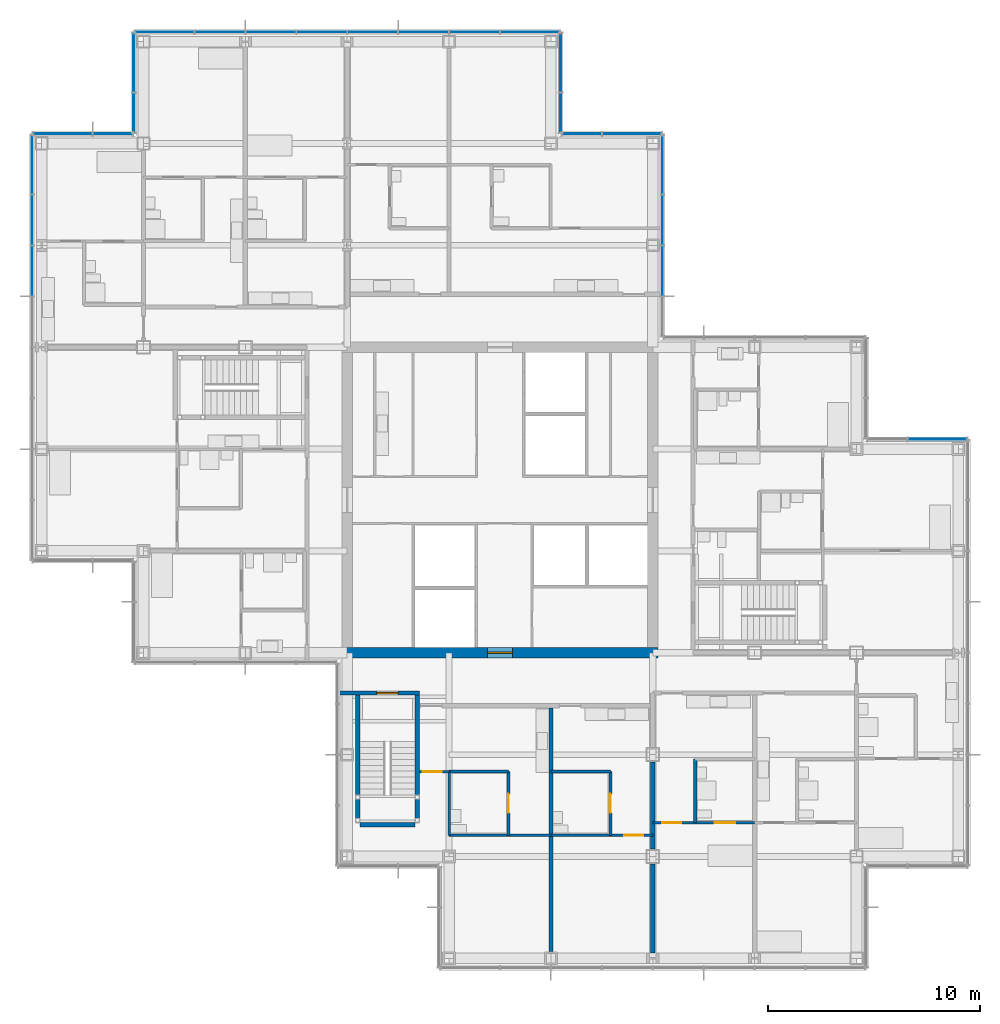
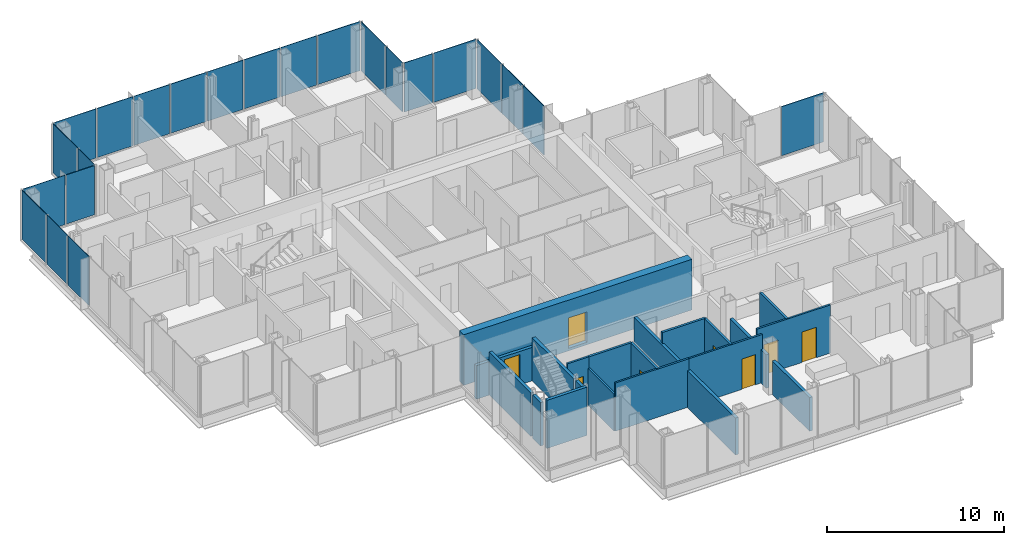
# One storey, part 12 of 19: 23 plates, 20 walls, 8 doors, 8 openings, 8 elements without a shape of their own.
"""IFC4 building model written with IfcOpenShell, lengths in metres."""

from ifc_helpers import new_model, si_unit, direction, frame, frame_2d, origin, origin_2d, place, context, subcontext, project, spatial, rectangle, extrude, material, layer, layer_set, type_object, element, fill, aggregate, save


model = new_model("IFC4")

# Units and contexts
model_context = context("Model", 3, precision=1e-05, world=origin(), true_north=direction((0.0, 1.0)))
body_context = subcontext(model_context, "Body", "Model", "MODEL_VIEW")
ifc_project = project(units=[si_unit("LENGTHUNIT", "METRE"), si_unit("AREAUNIT", "SQUARE_METRE"), si_unit("VOLUMEUNIT", "CUBIC_METRE"), si_unit("PLANEANGLEUNIT", "RADIAN"), si_unit("MASSUNIT", "GRAM", prefix="KILO")], contexts=[model_context])

# Site, building, storey
site_placement = place(None, origin())
site = spatial("IfcSite", under=ifc_project, at=site_placement, CompositionType="ELEMENT")
building_placement = place(site_placement, origin())
building = spatial("IfcBuilding", under=site, at=building_placement, Name="Kvirike Care Tower", CompositionType="ELEMENT")
storey_placement = place(building_placement, frame((0.0, 0.0, 108.5)))
storey = spatial("IfcBuildingStorey", under=building, at=storey_placement, Name="L29", CompositionType="ELEMENT", Elevation=108.5)

# Curtain wall, plate
ifc_material_1 = material(Name="Anodised aluminium stick system", Category="aluminium")
curtain_wall_type = type_object("IfcCurtainWallType", Name="CW-B STICK CURTAIN WALL", PredefinedType="NOTDEFINED", material=ifc_material_1)
curtain_wall_1_placement = place(storey_placement, origin())
curtain_wall_1 = element("IfcCurtainWall", 1, at=curtain_wall_1_placement, inside=storey, type_object=curtain_wall_type, Name="Curtain wall L29 face 2", PredefinedType="NOTDEFINED")
ifc_material_2 = material(Name="Tinted double glazed unit", Category="glass")
ifc_layer_1 = layer(ifc_material_2, 0.035888671875)
ifc_layer_set_1 = layer_set([ifc_layer_1], Name="TINTED VISION PANEL 36")
plate_type = type_object("IfcPlateType", Name="TINTED VISION PANEL 36", PredefinedType="CURTAIN_PANEL", material=ifc_layer_set_1)
plate_1_placement = place(storey_placement, frame((42.2138671875, 38.860107421875, 0.10009765625), z_axis=(0.0, 0.0, 1.0), x_axis=(-1.0, 0.0, 0.0)))
plate_1 = element("IfcPlate", 2, at=plate_1_placement, type_object=plate_type, Name="CW-B panel L29 face 2.1", PredefinedType="CURTAIN_PANEL", context=body_context, shape_type="SweptSolid", body=[
    extrude(rectangle(XDim=2.762451171875, YDim=0.035888671875, at=origin_2d()), origin(), (0.0, 0.0, 1.0), 3.39990234375),
])
aggregate(curtain_wall_1, [plate_1])

# Curtain wall, plates
curtain_wall_2_placement = place(storey_placement, origin())
curtain_wall_2 = element("IfcCurtainWall", 3, at=curtain_wall_2_placement, inside=storey, type_object=curtain_wall_type, Name="Curtain wall L29 face 5", PredefinedType="NOTDEFINED")
plate_2_placement = place(storey_placement, frame((29.260009765625, 46.800048828125, 0.10009765625), z_axis=(0.0, 0.0, 1.0), x_axis=(0.0, 1.0, 0.0)))
plate_2 = element("IfcPlate", 4, at=plate_2_placement, type_object=plate_type, Name="CW-B panel L29 face 5.2", PredefinedType="CURTAIN_PANEL", context=body_context, shape_type="SweptSolid", body=[
    extrude(rectangle(XDim=2.3349609375, YDim=0.035888671875, at=origin_2d()), origin(), (0.0, 0.0, 1.0), 3.39990234375),
])
plate_3_placement = place(storey_placement, frame((29.260009765625, 49.199951171875, 0.10009765625), z_axis=(0.0, 0.0, 1.0), x_axis=(0.0, 1.0, 0.0)))
plate_3 = element("IfcPlate", 5, at=plate_3_placement, type_object=plate_type, Name="CW-B panel L29 face 5.3", PredefinedType="CURTAIN_PANEL", context=body_context, shape_type="SweptSolid", body=[
    extrude(rectangle(XDim=2.3349609375, YDim=0.035888671875, at=origin_2d()), origin(), (0.0, 0.0, 1.0), 3.39990234375),
])
plate_4_placement = place(storey_placement, frame((29.260009765625, 51.813720703125, 0.10009765625), z_axis=(0.0, 0.0, 1.0), x_axis=(0.0, 1.0, 0.0)))
plate_4 = element("IfcPlate", 6, at=plate_4_placement, type_object=plate_type, Name="CW-B panel L29 face 5.4", PredefinedType="CURTAIN_PANEL", context=body_context, shape_type="SweptSolid", body=[
    extrude(rectangle(XDim=2.762451171875, YDim=0.035888671875, at=origin_2d()), origin(), (0.0, 0.0, 1.0), 3.39990234375),
])
aggregate(curtain_wall_2, [plate_2, plate_3, plate_4])

curtain_wall_3_placement = place(storey_placement, origin())
curtain_wall_3 = element("IfcCurtainWall", 7, at=curtain_wall_3_placement, inside=storey, type_object=curtain_wall_type, Name="Curtain wall L29 face 6", PredefinedType="NOTDEFINED")
plate_5_placement = place(storey_placement, frame((27.813720703125, 53.260009765625, 0.10009765625), z_axis=(0.0, 0.0, 1.0), x_axis=(-1.0, 0.0, 0.0)))
plate_5 = element("IfcPlate", 8, at=plate_5_placement, type_object=plate_type, Name="CW-B panel L29 face 6.1", PredefinedType="CURTAIN_PANEL", context=body_context, shape_type="SweptSolid", body=[
    extrude(rectangle(XDim=2.762451171875, YDim=0.035888671875, at=origin_2d()), origin(), (0.0, 0.0, 1.0), 3.39990234375),
])
plate_6_placement = place(storey_placement, frame((25.4462890625, 53.260009765625, 0.10009765625), z_axis=(0.0, 0.0, 1.0), x_axis=(-1.0, 0.0, 0.0)))
plate_6 = element("IfcPlate", 9, at=plate_6_placement, type_object=plate_type, Name="CW-B panel L29 face 6.2", PredefinedType="CURTAIN_PANEL", context=body_context, shape_type="SweptSolid", body=[
    extrude(rectangle(XDim=1.842529296875, YDim=0.035888671875, at=origin_2d()), origin(), (0.0, 0.0, 1.0), 3.39990234375),
])
aggregate(curtain_wall_3, [plate_5, plate_6])

curtain_wall_4_placement = place(storey_placement, origin())
curtain_wall_4 = element("IfcCurtainWall", 10, at=curtain_wall_4_placement, inside=storey, type_object=curtain_wall_type, Name="Curtain wall L29 face 7", PredefinedType="NOTDEFINED")
plate_7_placement = place(storey_placement, frame((24.4599609375, 54.246337890625, 0.10009765625), z_axis=(0.0, 0.0, 1.0), x_axis=(0.0, 1.0, 0.0)))
plate_7 = element("IfcPlate", 11, at=plate_7_placement, type_object=plate_type, Name="CW-B panel L29 face 7.1", PredefinedType="CURTAIN_PANEL", context=body_context, shape_type="SweptSolid", body=[
    extrude(rectangle(XDim=1.842529296875, YDim=0.035888671875, at=origin_2d()), origin(), (0.0, 0.0, 1.0), 3.39990234375),
])
plate_8_placement = place(storey_placement, frame((24.4599609375, 56.61376953125, 0.10009765625), z_axis=(0.0, 0.0, 1.0), x_axis=(0.0, 1.0, 0.0)))
plate_8 = element("IfcPlate", 12, at=plate_8_placement, type_object=plate_type, Name="CW-B panel L29 face 7.2", PredefinedType="CURTAIN_PANEL", context=body_context, shape_type="SweptSolid", body=[
    extrude(rectangle(XDim=2.762451171875, YDim=0.035888671875, at=origin_2d()), origin(), (0.0, 0.0, 1.0), 3.39990234375),
])
aggregate(curtain_wall_4, [plate_7, plate_8])

curtain_wall_5_placement = place(storey_placement, origin())
curtain_wall_5 = element("IfcCurtainWall", 13, at=curtain_wall_5_placement, inside=storey, type_object=curtain_wall_type, Name="Curtain wall L29 face 8", PredefinedType="NOTDEFINED")
plate_9_placement = place(storey_placement, frame((23.013671875, 58.06005859375, 0.10009765625), z_axis=(0.0, 0.0, 1.0), x_axis=(-1.0, 0.0, 0.0)))
plate_9 = element("IfcPlate", 14, at=plate_9_placement, type_object=plate_type, Name="CW-B panel L29 face 8.1", PredefinedType="CURTAIN_PANEL", context=body_context, shape_type="SweptSolid", body=[
    extrude(rectangle(XDim=2.762451171875, YDim=0.035888671875, at=origin_2d()), origin(), (0.0, 0.0, 1.0), 3.39990234375),
])
plate_10_placement = place(storey_placement, frame((20.39990234375, 58.06005859375, 0.10009765625), z_axis=(0.0, 0.0, 1.0), x_axis=(-1.0, 0.0, 0.0)))
plate_10 = element("IfcPlate", 15, at=plate_10_placement, type_object=plate_type, Name="CW-B panel L29 face 8.2", PredefinedType="CURTAIN_PANEL", context=body_context, shape_type="SweptSolid", body=[
    extrude(rectangle(XDim=2.3349609375, YDim=0.035888671875, at=origin_2d()), origin(), (0.0, 0.0, 1.0), 3.39990234375),
])
plate_11_placement = place(storey_placement, frame((18.0, 58.06005859375, 0.10009765625), z_axis=(0.0, 0.0, 1.0), x_axis=(-1.0, 0.0, 0.0)))
plate_11 = element("IfcPlate", 16, at=plate_11_placement, type_object=plate_type, Name="CW-B panel L29 face 8.3", PredefinedType="CURTAIN_PANEL", context=body_context, shape_type="SweptSolid", body=[
    extrude(rectangle(XDim=2.3349609375, YDim=0.035888671875, at=origin_2d()), origin(), (0.0, 0.0, 1.0), 3.39990234375),
])
plate_12_placement = place(storey_placement, frame((15.60009765625, 58.06005859375, 0.10009765625), z_axis=(0.0, 0.0, 1.0), x_axis=(-1.0, 0.0, 0.0)))
plate_12 = element("IfcPlate", 17, at=plate_12_placement, type_object=plate_type, Name="CW-B panel L29 face 8.4", PredefinedType="CURTAIN_PANEL", context=body_context, shape_type="SweptSolid", body=[
    extrude(rectangle(XDim=2.3349609375, YDim=0.035888671875, at=origin_2d()), origin(), (0.0, 0.0, 1.0), 3.39990234375),
])
plate_13_placement = place(storey_placement, frame((13.199951171875, 58.06005859375, 0.10009765625), z_axis=(0.0, 0.0, 1.0), x_axis=(-1.0, 0.0, 0.0)))
plate_13 = element("IfcPlate", 18, at=plate_13_placement, type_object=plate_type, Name="CW-B panel L29 face 8.5", PredefinedType="CURTAIN_PANEL", context=body_context, shape_type="SweptSolid", body=[
    extrude(rectangle(XDim=2.3349609375, YDim=0.035888671875, at=origin_2d()), origin(), (0.0, 0.0, 1.0), 3.39990234375),
])
plate_14_placement = place(storey_placement, frame((10.800048828125, 58.06005859375, 0.10009765625), z_axis=(0.0, 0.0, 1.0), x_axis=(-1.0, 0.0, 0.0)))
plate_14 = element("IfcPlate", 19, at=plate_14_placement, type_object=plate_type, Name="CW-B panel L29 face 8.6", PredefinedType="CURTAIN_PANEL", context=body_context, shape_type="SweptSolid", body=[
    extrude(rectangle(XDim=2.3349609375, YDim=0.035888671875, at=origin_2d()), origin(), (0.0, 0.0, 1.0), 3.39990234375),
])
plate_15_placement = place(storey_placement, frame((8.39990234375, 58.06005859375, 0.10009765625), z_axis=(0.0, 0.0, 1.0), x_axis=(-1.0, 0.0, 0.0)))
plate_15 = element("IfcPlate", 20, at=plate_15_placement, type_object=plate_type, Name="CW-B panel L29 face 8.7", PredefinedType="CURTAIN_PANEL", context=body_context, shape_type="SweptSolid", body=[
    extrude(rectangle(XDim=2.3349609375, YDim=0.035888671875, at=origin_2d()), origin(), (0.0, 0.0, 1.0), 3.39990234375),
])
plate_16_placement = place(storey_placement, frame((5.7861328125, 58.06005859375, 0.10009765625), z_axis=(0.0, 0.0, 1.0), x_axis=(-1.0, 0.0, 0.0)))
plate_16 = element("IfcPlate", 21, at=plate_16_placement, type_object=plate_type, Name="CW-B panel L29 face 8.8", PredefinedType="CURTAIN_PANEL", context=body_context, shape_type="SweptSolid", body=[
    extrude(rectangle(XDim=2.762451171875, YDim=0.035888671875, at=origin_2d()), origin(), (0.0, 0.0, 1.0), 3.39990234375),
])
aggregate(curtain_wall_5, [plate_9, plate_10, plate_11, plate_12, plate_13, plate_14, plate_15, plate_16])

curtain_wall_6_placement = place(storey_placement, origin())
curtain_wall_6 = element("IfcCurtainWall", 22, at=curtain_wall_6_placement, inside=storey, type_object=curtain_wall_type, Name="Curtain wall L29 face 9", PredefinedType="NOTDEFINED")
plate_17_placement = place(storey_placement, frame((4.340087890625, 56.61376953125, 0.10009765625), z_axis=(0.0, 0.0, 1.0), x_axis=(0.0, -1.0, 0.0)))
plate_17 = element("IfcPlate", 23, at=plate_17_placement, type_object=plate_type, Name="CW-B panel L29 face 9.1", PredefinedType="CURTAIN_PANEL", context=body_context, shape_type="SweptSolid", body=[
    extrude(rectangle(XDim=2.762451171875, YDim=0.035888671875, at=origin_2d()), origin(), (0.0, 0.0, 1.0), 3.39990234375),
])
plate_18_placement = place(storey_placement, frame((4.340087890625, 54.246337890625, 0.10009765625), z_axis=(0.0, 0.0, 1.0), x_axis=(0.0, -1.0, 0.0)))
plate_18 = element("IfcPlate", 24, at=plate_18_placement, type_object=plate_type, Name="CW-B panel L29 face 9.2", PredefinedType="CURTAIN_PANEL", context=body_context, shape_type="SweptSolid", body=[
    extrude(rectangle(XDim=1.842529296875, YDim=0.035888671875, at=origin_2d()), origin(), (0.0, 0.0, 1.0), 3.39990234375),
])
aggregate(curtain_wall_6, [plate_17, plate_18])

curtain_wall_7_placement = place(storey_placement, origin())
curtain_wall_7 = element("IfcCurtainWall", 25, at=curtain_wall_7_placement, inside=storey, type_object=curtain_wall_type, Name="Curtain wall L29 face 10", PredefinedType="NOTDEFINED")
plate_19_placement = place(storey_placement, frame((3.353759765625, 53.260009765625, 0.10009765625), z_axis=(0.0, 0.0, 1.0), x_axis=(-1.0, 0.0, 0.0)))
plate_19 = element("IfcPlate", 26, at=plate_19_placement, type_object=plate_type, Name="CW-B panel L29 face 10.1", PredefinedType="CURTAIN_PANEL", context=body_context, shape_type="SweptSolid", body=[
    extrude(rectangle(XDim=1.842529296875, YDim=0.035888671875, at=origin_2d()), origin(), (0.0, 0.0, 1.0), 3.39990234375),
])
plate_20_placement = place(storey_placement, frame((0.986328125, 53.260009765625, 0.10009765625), z_axis=(0.0, 0.0, 1.0), x_axis=(-1.0, 0.0, 0.0)))
plate_20 = element("IfcPlate", 27, at=plate_20_placement, type_object=plate_type, Name="CW-B panel L29 face 10.2", PredefinedType="CURTAIN_PANEL", context=body_context, shape_type="SweptSolid", body=[
    extrude(rectangle(XDim=2.762451171875, YDim=0.035888671875, at=origin_2d()), origin(), (0.0, 0.0, 1.0), 3.39990234375),
])
aggregate(curtain_wall_7, [plate_19, plate_20])

curtain_wall_8_placement = place(storey_placement, origin())
curtain_wall_8 = element("IfcCurtainWall", 28, at=curtain_wall_8_placement, inside=storey, type_object=curtain_wall_type, Name="Curtain wall L29 face 11", PredefinedType="NOTDEFINED")
plate_21_placement = place(storey_placement, frame((-0.4599609375, 51.813720703125, 0.10009765625), z_axis=(0.0, 0.0, 1.0), x_axis=(0.0, -1.0, 0.0)))
plate_21 = element("IfcPlate", 29, at=plate_21_placement, type_object=plate_type, Name="CW-B panel L29 face 11.1", PredefinedType="CURTAIN_PANEL", context=body_context, shape_type="SweptSolid", body=[
    extrude(rectangle(XDim=2.762451171875, YDim=0.035888671875, at=origin_2d()), origin(), (0.0, 0.0, 1.0), 3.39990234375),
])
plate_22_placement = place(storey_placement, frame((-0.4599609375, 49.199951171875, 0.10009765625), z_axis=(0.0, 0.0, 1.0), x_axis=(0.0, -1.0, 0.0)))
plate_22 = element("IfcPlate", 30, at=plate_22_placement, type_object=plate_type, Name="CW-B panel L29 face 11.2", PredefinedType="CURTAIN_PANEL", context=body_context, shape_type="SweptSolid", body=[
    extrude(rectangle(XDim=2.3349609375, YDim=0.035888671875, at=origin_2d()), origin(), (0.0, 0.0, 1.0), 3.39990234375),
])
plate_23_placement = place(storey_placement, frame((-0.4599609375, 46.800048828125, 0.10009765625), z_axis=(0.0, 0.0, 1.0), x_axis=(0.0, -1.0, 0.0)))
plate_23 = element("IfcPlate", 31, at=plate_23_placement, type_object=plate_type, Name="CW-B panel L29 face 11.3", PredefinedType="CURTAIN_PANEL", context=body_context, shape_type="SweptSolid", body=[
    extrude(rectangle(XDim=2.3349609375, YDim=0.035888671875, at=origin_2d()), origin(), (0.0, 0.0, 1.0), 3.39990234375),
])
aggregate(curtain_wall_8, [plate_21, plate_22, plate_23])

# Wall, opening, door
ifc_material_3 = material(Name="Moisture-resistant board partition", Category="gypsum")
ifc_layer_2 = layer(ifc_material_3, 0.14990234375)
ifc_layer_set_2 = layer_set([ifc_layer_2], Name="BATHROOM WALL 150")
wall_type_1 = type_object("IfcWallType", Name="BATHROOM WALL 150", PredefinedType="PARTITIONING", material=ifc_layer_set_2)
wall_1_placement = place(storey_placement, frame((22.0, 20.199951171875, 0.0), z_axis=(0.0, 0.0, 1.0), x_axis=(0.0, 1.0, 0.0)))
wall_1 = element("IfcWall", 32, at=wall_1_placement, inside=storey, type_object=wall_type_1, Name="Bathroom Wall 150 L29", PredefinedType="PARTITIONING", context=body_context, shape_type="SweptSolid", body=[
    extrude(rectangle(XDim=3.0, YDim=0.14990234375, at=frame_2d((1.5, 0.0))), origin(), (0.0, 0.0, 1.0), 3.330078125),
])
opening_1_placement = place(wall_1_placement, frame((1.050048828125, 0.0, 0.0)))
opening_1 = element("IfcOpeningElement", 33, at=opening_1_placement, cuts=wall_1, Name="Opening 29-020", PredefinedType="OPENING", context=body_context, shape_type="SweptSolid", body=[
    extrude(rectangle(XDim=0.89990234375, YDim=2.10009765625, at=frame_2d((0.449951171875, 1.050048828125))), frame((0.0, 0.08544921875, 0.0), z_axis=(0.0, -1.0, 0.0), x_axis=(1.0, 0.0, 0.0)), (0.0, 0.0, 1.0), 0.1708984375),
])
ifc_material_4 = material(Name="Timber door set", Category="wood")
door_type_1 = type_object("IfcDoorType", Name="BATHROOM DOOR 900", OperationType="SINGLE_SWING_RIGHT", PredefinedType="DOOR", material=ifc_material_4)
door_1_placement = place(opening_1_placement, origin())
door_1 = element("IfcDoor", 34, at=door_1_placement, inside=storey, type_object=door_type_1, Name="Accessible WC door", OperationType="SINGLE_SWING_LEFT", OverallHeight=2.10009765625, OverallWidth=0.89990234375, PredefinedType="DOOR", context=body_context, shape_type="SweptSolid", body=[
    extrude(rectangle(XDim=0.89990234375, YDim=2.10009765625, at=frame_2d((0.449951171875, 1.050048828125))), frame((0.0, 0.02197265625, 0.0), z_axis=(0.0, -1.0, 0.0), x_axis=(1.0, 0.0, 0.0)), (0.0, 0.0, 1.0), 0.0439453125),
])
fill(opening_1, door_1)

# Wall
wall_2_placement = place(storey_placement, frame((19.199951171875, 23.199951171875, 0.0), z_axis=(0.0, 0.0, 1.0), x_axis=(1.0, 0.0, 0.0)))
element("IfcWall", 35, at=wall_2_placement, inside=storey, type_object=wall_type_1, Name="Bathroom Wall 150 L29", PredefinedType="PARTITIONING", context=body_context, shape_type="SweptSolid", body=[
    extrude(rectangle(XDim=2.800048828125, YDim=0.14990234375, at=frame_2d((1.39990234375, 0.0))), origin(), (0.0, 0.0, 1.0), 3.330078125),
])

# Wall, opening, door
wall_3_placement = place(storey_placement, frame((26.800048828125, 20.199951171875, 0.0), z_axis=(0.0, 0.0, 1.0), x_axis=(0.0, 1.0, 0.0)))
wall_3 = element("IfcWall", 36, at=wall_3_placement, inside=storey, type_object=wall_type_1, Name="Bathroom Wall 150 L29", PredefinedType="PARTITIONING", context=body_context, shape_type="SweptSolid", body=[
    extrude(rectangle(XDim=3.0, YDim=0.14990234375, at=frame_2d((1.5, 0.0))), origin(), (0.0, 0.0, 1.0), 3.330078125),
])
opening_2_placement = place(wall_3_placement, frame((1.050048828125, 0.0, 0.0)))
opening_2 = element("IfcOpeningElement", 37, at=opening_2_placement, cuts=wall_3, Name="Opening 29-022", PredefinedType="OPENING", context=body_context, shape_type="SweptSolid", body=[
    extrude(rectangle(XDim=0.89990234375, YDim=2.10009765625, at=frame_2d((0.449951171875, 1.050048828125))), frame((0.0, 0.08544921875, 0.0), z_axis=(0.0, -1.0, 0.0), x_axis=(1.0, 0.0, 0.0)), (0.0, 0.0, 1.0), 0.1708984375),
])
door_2_placement = place(opening_2_placement, origin())
door_2 = element("IfcDoor", 38, at=door_2_placement, inside=storey, type_object=door_type_1, Name="Staff WC door", OperationType="SINGLE_SWING_LEFT", OverallHeight=2.10009765625, OverallWidth=0.89990234375, PredefinedType="DOOR", context=body_context, shape_type="SweptSolid", body=[
    extrude(rectangle(XDim=0.89990234375, YDim=2.10009765625, at=frame_2d((0.449951171875, 1.050048828125))), frame((0.0, 0.02197265625, 0.0), z_axis=(0.0, -1.0, 0.0), x_axis=(1.0, 0.0, 0.0)), (0.0, 0.0, 1.0), 0.0439453125),
])
fill(opening_2, door_2)

# Walls
wall_4_placement = place(storey_placement, frame((24.0, 23.199951171875, 0.0), z_axis=(0.0, 0.0, 1.0), x_axis=(1.0, 0.0, 0.0)))
element("IfcWall", 39, at=wall_4_placement, inside=storey, type_object=wall_type_1, Name="Bathroom Wall 150 L29", PredefinedType="PARTITIONING", context=body_context, shape_type="SweptSolid", body=[
    extrude(rectangle(XDim=2.800048828125, YDim=0.14990234375, at=frame_2d((1.39990234375, 0.0))), origin(), (0.0, 0.0, 1.0), 3.330078125),
])
wall_5_placement = place(storey_placement, frame((30.800048828125, 20.800048828125, 0.0), z_axis=(0.0, 0.0, 1.0), x_axis=(0.0, 1.0, 0.0)))
element("IfcWall", 40, at=wall_5_placement, inside=storey, type_object=wall_type_1, Name="Bathroom Wall 150 L29", PredefinedType="PARTITIONING", context=body_context, shape_type="SweptSolid", body=[
    extrude(rectangle(XDim=3.0, YDim=0.14990234375, at=frame_2d((1.5, 0.0))), origin(), (0.0, 0.0, 1.0), 3.330078125),
])

# Wall, opening, door
ifc_material_5 = material(Name="Concrete C50/60", Category="concrete")
ifc_layer_3 = layer(ifc_material_5, 0.5)
ifc_layer_set_3 = layer_set([ifc_layer_3], Name="CORE WALL 500 C50-60")
wall_type_2 = type_object("IfcWallType", Name="CORE WALL 500 C50-60", PredefinedType="SHEAR", material=ifc_layer_set_3)
wall_6_placement = place(storey_placement, frame((14.14990234375, 28.800048828125, -0.169921875), z_axis=(0.0, 0.0, 1.0), x_axis=(1.0, 0.0, 0.0)))
wall_6 = element("IfcWall", 41, at=wall_6_placement, inside=storey, type_object=wall_type_2, Name="Core wall S L29", PredefinedType="SHEAR", context=body_context, shape_type="SweptSolid", body=[
    extrude(rectangle(XDim=14.900146484375, YDim=0.5, at=frame_2d((7.4501953125, 0.0))), origin(), (0.0, 0.0, 1.0), 3.5),
])
opening_3_placement = place(wall_6_placement, frame((6.85009765625, 0.0, 0.169921875)))
opening_3 = element("IfcOpeningElement", 42, at=opening_3_placement, cuts=wall_6, Name="Opening 29-062", PredefinedType="OPENING", context=body_context, shape_type="SweptSolid", body=[
    extrude(rectangle(XDim=1.199951171875, YDim=2.10009765625, at=frame_2d((0.60009765625, 1.050048828125))), frame((0.0, 0.260498046875, 0.0), z_axis=(0.0, -1.0, 0.0), x_axis=(1.0, 0.0, 0.0)), (0.0, 0.0, 1.0), 0.52099609375),
])
ifc_material_6 = material(Name="Timber door set", Category="wood")
door_type_2 = type_object("IfcDoorType", Name="CORE DOOR 1200", OperationType="SINGLE_SWING_LEFT", PredefinedType="DOOR", material=ifc_material_6)
door_3_placement = place(opening_3_placement, origin())
door_3 = element("IfcDoor", 43, at=door_3_placement, inside=storey, type_object=door_type_2, Name="Core door S L29", OperationType="SINGLE_SWING_LEFT", OverallHeight=2.10009765625, OverallWidth=1.199951171875, PredefinedType="DOOR", context=body_context, shape_type="SweptSolid", body=[
    extrude(rectangle(XDim=1.199951171875, YDim=2.10009765625, at=frame_2d((0.60009765625, 1.050048828125))), frame((0.0, 0.02685546875, 0.0), z_axis=(0.0, -1.0, 0.0), x_axis=(1.0, 0.0, 0.0)), (0.0, 0.0, 1.0), 0.053955078125),
])
fill(opening_3, door_3)

ifc_material_7 = material(Name="Plasterboard partition", Category="gypsum")
ifc_layer_4 = layer(ifc_material_7, 0.1201171875)
ifc_layer_set_4 = layer_set([ifc_layer_4], Name="PARTITION 120")
wall_type_3 = type_object("IfcWallType", Name="PARTITION 120", PredefinedType="PARTITIONING", material=ifc_layer_set_4)
wall_7_placement = place(storey_placement, frame((17.800048828125, 23.199951171875, 0.0), z_axis=(0.0, 0.0, 1.0), x_axis=(1.0, 0.0, 0.0)))
wall_7 = element("IfcWall", 44, at=wall_7_placement, inside=storey, type_object=wall_type_3, Name="Partition 120 L29", PredefinedType="PARTITIONING", context=body_context, shape_type="SweptSolid", body=[
    extrude(rectangle(XDim=1.39990234375, YDim=0.1201171875, at=frame_2d((0.699951171875, 0.0))), origin(), (0.0, 0.0, 1.0), 3.330078125),
])
opening_4_placement = place(wall_7_placement, frame((0.14990234375, 0.0, 0.0)))
opening_4 = element("IfcOpeningElement", 45, at=opening_4_placement, cuts=wall_7, Name="Opening 29-021", PredefinedType="OPENING", context=body_context, shape_type="SweptSolid", body=[
    extrude(rectangle(XDim=0.89990234375, YDim=2.10009765625, at=frame_2d((0.449951171875, 1.050048828125))), frame((0.0, 0.070556640625, 0.0), z_axis=(0.0, -1.0, 0.0), x_axis=(1.0, 0.0, 0.0)), (0.0, 0.0, 1.0), 0.14111328125),
])
ifc_material_8 = material(Name="Timber door set", Category="wood")
door_type_3 = type_object("IfcDoorType", Name="INTERNAL DOOR 900", OperationType="SINGLE_SWING_LEFT", PredefinedType="DOOR", material=ifc_material_8)
door_4_placement = place(opening_4_placement, origin())
door_4 = element("IfcDoor", 46, at=door_4_placement, inside=storey, type_object=door_type_3, Name="Household lounge door", OperationType="SINGLE_SWING_RIGHT", OverallHeight=2.10009765625, OverallWidth=0.89990234375, PredefinedType="DOOR", context=body_context, shape_type="SweptSolid", body=[
    extrude(rectangle(XDim=0.89990234375, YDim=2.10009765625, at=frame_2d((0.449951171875, 1.050048828125))), frame((0.0, 0.02197265625, 0.0), z_axis=(0.0, -1.0, 0.0), x_axis=(1.0, 0.0, 0.0)), (0.0, 0.0, 1.0), 0.0439453125),
])
fill(opening_4, door_4)

# Walls
wall_8_placement = place(storey_placement, frame((19.199951171875, 20.199951171875, 0.0), z_axis=(0.0, 0.0, 1.0), x_axis=(1.0, 0.0, 0.0)))
element("IfcWall", 47, at=wall_8_placement, inside=storey, type_object=wall_type_3, Name="Partition 120 L29", PredefinedType="PARTITIONING", context=body_context, shape_type="SweptSolid", body=[
    extrude(rectangle(XDim=4.800048828125, YDim=0.1201171875, at=frame_2d((2.39990234375, 0.0))), origin(), (0.0, 0.0, 1.0), 3.330078125),
])
wall_9_placement = place(storey_placement, frame((19.199951171875, 20.199951171875, 0.0), z_axis=(0.0, 0.0, 1.0), x_axis=(0.0, 1.0, 0.0)))
element("IfcWall", 48, at=wall_9_placement, inside=storey, type_object=wall_type_3, Name="Partition 120 L29", PredefinedType="PARTITIONING", context=body_context, shape_type="SweptSolid", body=[
    extrude(rectangle(XDim=3.0, YDim=0.1201171875, at=frame_2d((1.5, 0.0))), origin(), (0.0, 0.0, 1.0), 2.550048828125),
])

# Wall, opening, door
wall_10_placement = place(storey_placement, frame((24.0, 20.199951171875, 0.0), z_axis=(0.0, 0.0, 1.0), x_axis=(1.0, 0.0, 0.0)))
wall_10 = element("IfcWall", 49, at=wall_10_placement, inside=storey, type_object=wall_type_3, Name="Partition 120 L29", PredefinedType="PARTITIONING", context=body_context, shape_type="SweptSolid", body=[
    extrude(rectangle(XDim=4.800048828125, YDim=0.1201171875, at=frame_2d((2.39990234375, 0.0))), origin(), (0.0, 0.0, 1.0), 3.330078125),
])
opening_5_placement = place(wall_10_placement, frame((3.449951171875, 0.0, 0.0)))
opening_5 = element("IfcOpeningElement", 50, at=opening_5_placement, cuts=wall_10, Name="Opening 29-023", PredefinedType="OPENING", context=body_context, shape_type="SweptSolid", body=[
    extrude(rectangle(XDim=0.89990234375, YDim=2.10009765625, at=frame_2d((0.449951171875, 1.050048828125))), frame((0.0, 0.070556640625, 0.0), z_axis=(0.0, -1.0, 0.0), x_axis=(1.0, 0.0, 0.0)), (0.0, 0.0, 1.0), 0.14111328125),
])
door_5_placement = place(opening_5_placement, origin())
door_5 = element("IfcDoor", 51, at=door_5_placement, inside=storey, type_object=door_type_3, Name="Household dining room door", OperationType="SINGLE_SWING_RIGHT", OverallHeight=2.10009765625, OverallWidth=0.89990234375, PredefinedType="DOOR", context=body_context, shape_type="SweptSolid", body=[
    extrude(rectangle(XDim=0.89990234375, YDim=2.10009765625, at=frame_2d((0.449951171875, 1.050048828125))), frame((0.0, 0.02197265625, 0.0), z_axis=(0.0, -1.0, 0.0), x_axis=(1.0, 0.0, 0.0)), (0.0, 0.0, 1.0), 0.0439453125),
])
fill(opening_5, door_5)

# Wall, openings, doors
wall_11_placement = place(storey_placement, frame((28.800048828125, 20.800048828125, 0.0), z_axis=(0.0, 0.0, 1.0), x_axis=(1.0, 0.0, 0.0)))
wall_11 = element("IfcWall", 52, at=wall_11_placement, inside=storey, type_object=wall_type_3, Name="Partition 120 L29", PredefinedType="PARTITIONING", context=body_context, shape_type="SweptSolid", body=[
    extrude(rectangle(XDim=4.800048828125, YDim=0.1201171875, at=frame_2d((2.39990234375, 0.0))), origin(), (0.0, 0.0, 1.0), 3.330078125),
])
opening_6_placement = place(wall_11_placement, frame((0.449951171875, 0.0, 0.0)))
opening_6 = element("IfcOpeningElement", 53, at=opening_6_placement, cuts=wall_11, Name="Opening 29-032", PredefinedType="OPENING", context=body_context, shape_type="SweptSolid", body=[
    extrude(rectangle(XDim=0.89990234375, YDim=2.10009765625, at=frame_2d((0.449951171875, 1.050048828125))), frame((0.0, 0.070556640625, 0.0), z_axis=(0.0, -1.0, 0.0), x_axis=(1.0, 0.0, 0.0)), (0.0, 0.0, 1.0), 0.14111328125),
])
opening_7_placement = place(wall_11_placement, frame((2.925048828125, 0.0, 0.0)))
opening_7 = element("IfcOpeningElement", 54, at=opening_7_placement, cuts=wall_11, Name="Opening 29-033", PredefinedType="OPENING", context=body_context, shape_type="SweptSolid", body=[
    extrude(rectangle(XDim=0.949951171875, YDim=2.10009765625, at=frame_2d((0.47509765625, 1.050048828125))), frame((0.0, 0.070556640625, 0.0), z_axis=(0.0, -1.0, 0.0), x_axis=(1.0, 0.0, 0.0)), (0.0, 0.0, 1.0), 0.14111328125),
])
ifc_material_9 = material(Name="Timber door set", Category="wood")
door_type_4 = type_object("IfcDoorType", Name="EN-SUITE SLIDING DOOR 950", OperationType="SLIDING_TO_LEFT", PredefinedType="DOOR", material=ifc_material_9)
door_6_placement = place(opening_7_placement, origin())
door_6 = element("IfcDoor", 55, at=door_6_placement, inside=storey, type_object=door_type_4, Name="En-suite door", OperationType="SLIDING_TO_RIGHT", OverallHeight=2.10009765625, OverallWidth=0.949951171875, PredefinedType="DOOR", context=body_context, shape_type="SweptSolid", body=[
    extrude(rectangle(XDim=0.949951171875, YDim=2.10009765625, at=frame_2d((0.47509765625, 1.050048828125))), frame((0.0, 0.02197265625, 0.0), z_axis=(0.0, -1.0, 0.0), x_axis=(1.0, 0.0, 0.0)), (0.0, 0.0, 1.0), 0.0439453125),
])
fill(opening_7, door_6)
door_7_placement = place(opening_6_placement, origin())
door_7 = element("IfcDoor", 56, at=door_7_placement, inside=storey, type_object=door_type_3, Name="Assisted living suite door", OperationType="SINGLE_SWING_LEFT", OverallHeight=2.10009765625, OverallWidth=0.89990234375, PredefinedType="DOOR", context=body_context, shape_type="SweptSolid", body=[
    extrude(rectangle(XDim=0.89990234375, YDim=2.10009765625, at=frame_2d((0.449951171875, 1.050048828125))), frame((0.0, 0.02197265625, 0.0), z_axis=(0.0, -1.0, 0.0), x_axis=(1.0, 0.0, 0.0)), (0.0, 0.0, 1.0), 0.0439453125),
])
fill(opening_6, door_7)

# Walls
ifc_material_10 = material(Name="Plasterboard party wall", Category="gypsum")
ifc_layer_5 = layer(ifc_material_10, 0.199951171875)
ifc_layer_set_5 = layer_set([ifc_layer_5], Name="PARTY WALL 200")
wall_type_4 = type_object("IfcWallType", Name="PARTY WALL 200", PredefinedType="PARTITIONING", material=ifc_layer_set_5)
wall_12_placement = place(storey_placement, frame((24.0, 14.719970703125, 0.0), z_axis=(0.0, 0.0, 1.0), x_axis=(0.0, 1.0, 0.0)))
element("IfcWall", 57, at=wall_12_placement, inside=storey, type_object=wall_type_4, Name="Party Wall 200 L29", PredefinedType="PARTITIONING", context=body_context, shape_type="SweptSolid", body=[
    extrude(rectangle(XDim=11.47998046875, YDim=0.199951171875, at=frame_2d((5.739990234375, 0.0))), origin(), (0.0, 0.0, 1.0), 2.550048828125),
])
wall_13_placement = place(storey_placement, frame((28.800048828125, 14.64697265625, 0.0), z_axis=(0.0, 0.0, 1.0), x_axis=(0.0, 1.0, 0.0)))
element("IfcWall", 58, at=wall_13_placement, inside=storey, type_object=wall_type_4, Name="Party Wall 200 L29", PredefinedType="PARTITIONING", context=body_context, shape_type="SweptSolid", body=[
    extrude(rectangle(XDim=4.2080078125, YDim=0.199951171875, at=frame_2d((2.10400390625, 0.0))), origin(), (0.0, 0.0, 1.0), 2.320068359375),
])
wall_14_placement = place(storey_placement, frame((28.800048828125, 19.544921875, 0.0), z_axis=(0.0, 0.0, 1.0), x_axis=(0.0, 1.0, 0.0)))
element("IfcWall", 59, at=wall_14_placement, inside=storey, type_object=wall_type_4, Name="Party Wall 200 L29", PredefinedType="PARTITIONING", context=body_context, shape_type="SweptSolid", body=[
    extrude(rectangle(XDim=4.110107421875, YDim=0.199951171875, at=frame_2d((2.05517578125, 0.0))), origin(), (0.0, 0.0, 1.0), 2.320068359375),
])
ifc_material_11 = material(Name="Concrete C40/50", Category="concrete")
ifc_layer_6 = layer(ifc_material_11, 0.199951171875)
ifc_layer_set_6 = layer_set([ifc_layer_6], Name="STAIR WALL 200")
wall_type_5 = type_object("IfcWallType", Name="STAIR WALL 200", PredefinedType="SOLIDWALL", material=ifc_layer_set_6)
wall_15_placement = place(storey_placement, frame((14.89990234375, 21.0, 0.0), z_axis=(0.0, 0.0, 1.0), x_axis=(0.0, 1.0, 0.0)))
element("IfcWall", 60, at=wall_15_placement, inside=storey, type_object=wall_type_5, Name="Stair Wall 200 L29", PredefinedType="SOLIDWALL", context=body_context, shape_type="SweptSolid", body=[
    extrude(rectangle(XDim=0.89990234375, YDim=0.199951171875, at=frame_2d((0.449951171875, 0.0))), origin(), (0.0, 0.0, 1.0), 2.989990234375),
])
wall_16_placement = place(storey_placement, frame((14.89990234375, 22.10009765625, 0.0), z_axis=(0.0, 0.0, 1.0), x_axis=(0.0, 1.0, 0.0)))
element("IfcWall", 61, at=wall_16_placement, inside=storey, type_object=wall_type_5, Name="Stair Wall 200 L29", PredefinedType="SOLIDWALL", context=body_context, shape_type="SweptSolid", body=[
    extrude(rectangle(XDim=4.699951171875, YDim=0.199951171875, at=frame_2d((2.35009765625, 0.0))), origin(), (0.0, 0.0, 1.0), 2.989990234375),
])
wall_17_placement = place(storey_placement, frame((17.699951171875, 21.0, 0.0), z_axis=(0.0, 0.0, 1.0), x_axis=(0.0, 1.0, 0.0)))
element("IfcWall", 62, at=wall_17_placement, inside=storey, type_object=wall_type_5, Name="Stair Wall 200 L29", PredefinedType="SOLIDWALL", context=body_context, shape_type="SweptSolid", body=[
    extrude(rectangle(XDim=0.89990234375, YDim=0.199951171875, at=frame_2d((0.449951171875, 0.0))), origin(), (0.0, 0.0, 1.0), 2.989990234375),
])
wall_18_placement = place(storey_placement, frame((17.699951171875, 22.10009765625, 0.0), z_axis=(0.0, 0.0, 1.0), x_axis=(0.0, 1.0, 0.0)))
element("IfcWall", 63, at=wall_18_placement, inside=storey, type_object=wall_type_5, Name="Stair Wall 200 L29", PredefinedType="SOLIDWALL", context=body_context, shape_type="SweptSolid", body=[
    extrude(rectangle(XDim=4.699951171875, YDim=0.199951171875, at=frame_2d((2.35009765625, 0.0))), origin(), (0.0, 0.0, 1.0), 2.989990234375),
])
wall_19_placement = place(storey_placement, frame((15.0, 20.699951171875, 0.0), z_axis=(0.0, 0.0, 1.0), x_axis=(1.0, 0.0, 0.0)))
element("IfcWall", 64, at=wall_19_placement, inside=storey, type_object=wall_type_5, Name="Stair Wall 200 L29", PredefinedType="SOLIDWALL", context=body_context, shape_type="SweptSolid", body=[
    extrude(rectangle(XDim=2.60009765625, YDim=0.199951171875, at=frame_2d((1.300048828125, 0.0))), origin(), (0.0, 0.0, 1.0), 3.330078125),
])

# Wall, opening, door
wall_20_placement = place(storey_placement, frame((13.9599609375, 26.89990234375, 0.0), z_axis=(0.0, 0.0, 1.0), x_axis=(1.0, 0.0, 0.0)))
wall_20 = element("IfcWall", 65, at=wall_20_placement, inside=storey, type_object=wall_type_5, Name="Stair Wall 200 L29", PredefinedType="SOLIDWALL", context=body_context, shape_type="SweptSolid", body=[
    extrude(rectangle(XDim=3.840087890625, YDim=0.199951171875, at=frame_2d((1.919921875, 0.0))), origin(), (0.0, 0.0, 1.0), 2.320068359375),
])
opening_8_placement = place(wall_20_placement, frame((1.840087890625, 0.0, 0.0)))
opening_8 = element("IfcOpeningElement", 66, at=opening_8_placement, cuts=wall_20, Name="Opening 29-019", PredefinedType="OPENING", context=body_context, shape_type="SweptSolid", body=[
    extrude(rectangle(XDim=1.0, YDim=2.10009765625, at=frame_2d((0.5, 1.050048828125))), frame((0.0, 0.110595703125, 0.0), z_axis=(0.0, -1.0, 0.0), x_axis=(1.0, 0.0, 0.0)), (0.0, 0.0, 1.0), 0.220947265625),
])
ifc_material_12 = material(Name="Timber door set", Category="wood")
door_type_5 = type_object("IfcDoorType", Name="STAIR DOOR 1000", OperationType="SINGLE_SWING_LEFT", PredefinedType="DOOR", material=ifc_material_12)
door_8_placement = place(opening_8_placement, frame((1.0, 0.0, 0.0), z_axis=(0.0, 0.0, 1.0), x_axis=(-1.0, 0.0, 0.0)))
door_8 = element("IfcDoor", 67, at=door_8_placement, inside=storey, type_object=door_type_5, Name="Stair 5 door", OperationType="SINGLE_SWING_LEFT", OverallHeight=2.10009765625, OverallWidth=1.0, PredefinedType="DOOR", context=body_context, shape_type="SweptSolid", body=[
    extrude(rectangle(XDim=1.0, YDim=2.10009765625, at=frame_2d((0.5, 1.050048828125))), frame((0.0, 0.031982421875, 0.0), z_axis=(0.0, -1.0, 0.0), x_axis=(1.0, 0.0, 0.0)), (0.0, 0.0, 1.0), 0.06396484375),
])
fill(opening_8, door_8)

save(model, "model.ifc")
